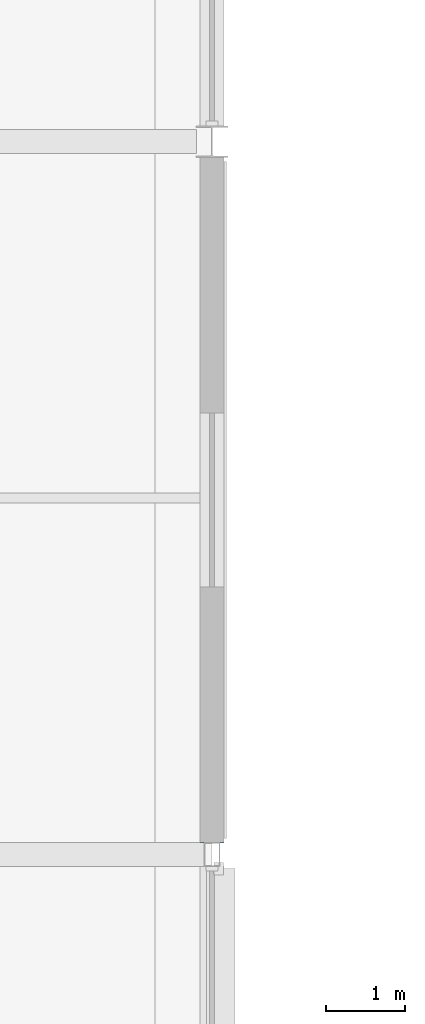
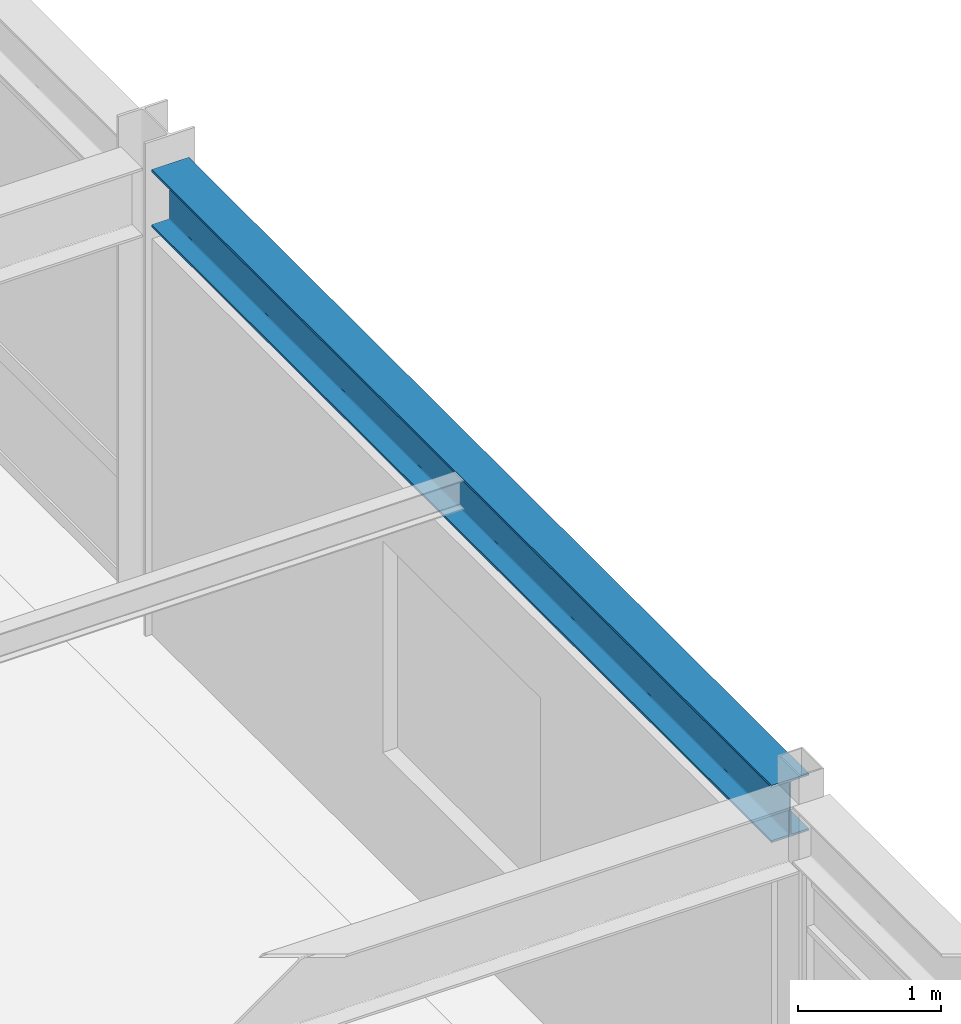
# One storey, part 26 of 105: 1 beam.
"""IFC4 building model written with IfcOpenShell, lengths in metres."""

from ifc_helpers import new_model, si_unit, direction, frame, origin, origin_2d, place, context, subcontext, project, spatial, i_section, extrude, material, material_profile, profile_set, type_object, element, save


model = new_model("IFC4")

# Units and contexts
model_context = context("Model", 3, precision=1e-05, world=origin(), true_north=direction((0.0, 1.0)))
body_context = subcontext(model_context, "Body", "Model", "MODEL_VIEW")
ifc_project = project(units=[si_unit("LENGTHUNIT", "METRE"), si_unit("AREAUNIT", "SQUARE_METRE"), si_unit("VOLUMEUNIT", "CUBIC_METRE"), si_unit("PLANEANGLEUNIT", "RADIAN"), si_unit("MASSUNIT", "GRAM", prefix="KILO")], contexts=[model_context])

# Site, building, storey
site_placement = place(None, origin())
site = spatial("IfcSite", under=ifc_project, at=site_placement, CompositionType="ELEMENT")
building_placement = place(site_placement, origin())
building = spatial("IfcBuilding", under=site, at=building_placement, Name="Suzunagisa Mobility Hub", CompositionType="ELEMENT")
storey_placement = place(building_placement, frame((0.0, 0.0, 5.10009765625)))
storey = spatial("IfcBuildingStorey", under=building, at=storey_placement, Name="L01", CompositionType="ELEMENT", Elevation=5.10009765625)

# Beam
ifc_material = material(Name="Steel SN490B", Category="steel")
ifc_material_profile = material_profile(ifc_material, i_section(OverallWidth=0.300048828125, OverallDepth=0.488037109375, WebThickness=0.010986328125, FlangeThickness=0.01806640625, FilletRadius=0.012939453125, at=origin_2d()), Name="H-488x300x11x18")
ifc_profile_set = profile_set([ifc_material_profile], Name="Steel SN490B")
beam_type = type_object("IfcBeamType", Name="Steel Beam BM-06 H-488x300x11x18", PredefinedType="BEAM", material=ifc_profile_set)
beam_placement = place(storey_placement, frame((36.0, 27.14599609375, 3.7158203125), z_axis=(0.0, 1.0, 0.0), x_axis=(-1.0, 0.0, 0.0)))
element("IfcBeam", 1, at=beam_placement, inside=storey, type_object=beam_type, Name="L01 Primary Girder GY-233", PredefinedType="BEAM", context=body_context, shape_type="SweptSolid", body=[
    extrude(i_section(OverallWidth=0.300048828125, OverallDepth=0.488037109375, WebThickness=0.010986328125, FlangeThickness=0.01806640625, FilletRadius=0.012939453125, at=origin_2d()), origin(), (0.0, 0.0, 1.0), 8.657958984375),
])

save(model, "model.ifc")
